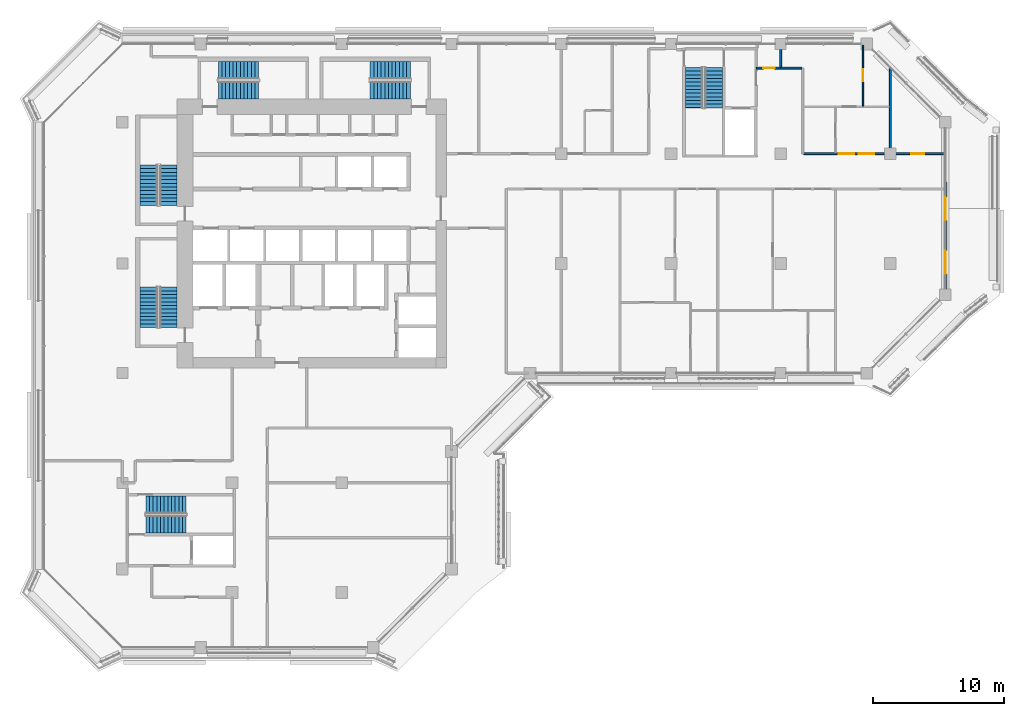
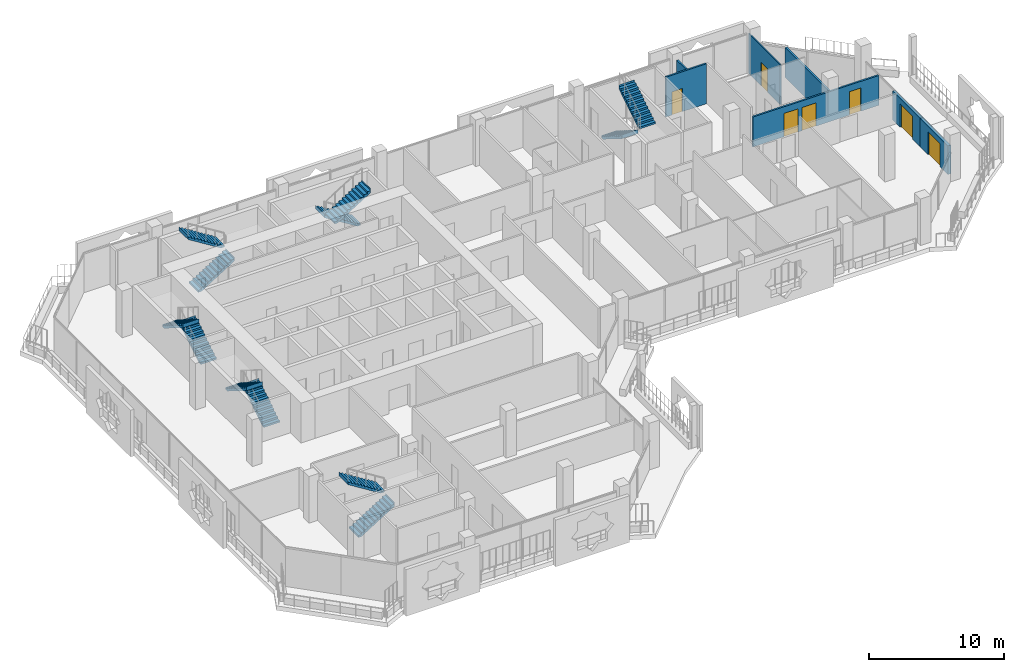
# One storey, part 13 of 20: 12 stair flights, 7 doors, 7 walls, 7 openings, 6 elements without a shape of their own.
"""IFC4 building model written with IfcOpenShell, lengths in metres."""

from ifc_helpers import new_model, si_unit, direction, frame, frame_2d, origin, place, context, subcontext, project, spatial, polyline, rectangle, outline, extrude, material, layer, layer_set, type_object, element, fill, aggregate, save


model = new_model("IFC4")

# Units and contexts
model_context = context("Model", 3, precision=1e-05, world=origin(), true_north=direction((0.0, 1.0)))
body_context = subcontext(model_context, "Body", "Model", "MODEL_VIEW")
ifc_project = project(units=[si_unit("LENGTHUNIT", "METRE"), si_unit("AREAUNIT", "SQUARE_METRE"), si_unit("VOLUMEUNIT", "CUBIC_METRE"), si_unit("PLANEANGLEUNIT", "RADIAN"), si_unit("MASSUNIT", "GRAM", prefix="KILO")], contexts=[model_context])

# Site, building, storey
site_placement = place(None, origin())
site = spatial("IfcSite", under=ifc_project, at=site_placement, CompositionType="ELEMENT")
building_placement = place(site_placement, origin())
building = spatial("IfcBuilding", under=site, at=building_placement, Name="Kawkab Arch Medical Tower", CompositionType="ELEMENT")
storey_placement = place(building_placement, frame((0.0, 0.0, 239.0)))
storey = spatial("IfcBuildingStorey", under=building, at=storey_placement, Name="L55", CompositionType="ELEMENT", Elevation=239.0)

# Wall, opening, door
ifc_material_1 = material(Name="Bronze clad insulated wall panel")
ifc_layer_1 = layer(ifc_material_1, 0.25)
ifc_layer_set_1 = layer_set([ifc_layer_1], Name="Bronze clad insulated wall panel")
wall_type_1 = type_object("IfcWallType", Name="External wall bay 250", PredefinedType="SOLIDWALL", material=ifc_layer_set_1)
wall_1_placement = place(storey_placement, frame((63.0, -18.75, 0.0), z_axis=(0.0, 0.0, 1.0), x_axis=(0.0, 1.0, 0.0)))
wall_1 = element("IfcWall", 1, at=wall_1_placement, inside=storey, type_object=wall_type_1, Name="External wall bay L55.R09.1.1", PredefinedType="SOLIDWALL", context=body_context, shape_type="SweptSolid", body=[
    extrude(rectangle(XDim=4.10009765625, YDim=0.25, at=frame_2d((2.050048828125, 0.0))), origin(), (0.0, 0.0, 1.0), 2.580078125),
])
opening_1_placement = place(wall_1_placement, frame((1.14990234375, 0.0, 0.0)))
opening_1 = element("IfcOpeningElement", 2, at=opening_1_placement, cuts=wall_1, Name="Opening W55-702", PredefinedType="OPENING", context=body_context, shape_type="SweptSolid", body=[
    extrude(rectangle(XDim=1.800048828125, YDim=2.10009765625, at=frame_2d((0.89990234375, 1.050048828125))), frame((0.0, 0.135009765625, 0.0), z_axis=(0.0, -1.0, 0.0), x_axis=(1.0, 0.0, 0.0)), (0.0, 0.0, 1.0), 0.27001953125),
])
ifc_material_2 = material(Name="Bronze anodised aluminium door with tinted glass", Category="aluminium")
door_type_1 = type_object("IfcDoorType", Name="Double external door 1800 x 2100", OperationType="DOUBLE_DOOR_SINGLE_SWING", PredefinedType="DOOR", material=ifc_material_2)
door_1_placement = place(opening_1_placement, origin())
door_1 = element("IfcDoor", 3, at=door_1_placement, inside=storey, type_object=door_type_1, Name="External door L55.R09.1.1", OperationType="DOUBLE_DOOR_SINGLE_SWING", OverallHeight=2.10009765625, OverallWidth=1.800048828125, PredefinedType="DOOR", context=body_context, shape_type="SweptSolid", body=[
    extrude(rectangle(XDim=1.800048828125, YDim=2.10009765625, at=frame_2d((0.89990234375, 1.050048828125))), frame((0.0, 0.02490234375, 0.0), z_axis=(0.0, -1.0, 0.0), x_axis=(1.0, 0.0, 0.0)), (0.0, 0.0, 1.0), 0.050048828125),
])
fill(opening_1, door_1)

wall_2_placement = place(storey_placement, frame((63.0, -14.64990234375, 0.0), z_axis=(0.0, 0.0, 1.0), x_axis=(0.0, 1.0, 0.0)))
wall_2 = element("IfcWall", 4, at=wall_2_placement, inside=storey, type_object=wall_type_1, Name="External wall bay L55.R09.1.2", PredefinedType="SOLIDWALL", context=body_context, shape_type="SweptSolid", body=[
    extrude(rectangle(XDim=4.099853515625, YDim=0.25, at=frame_2d((2.0498046875, 0.0))), origin(), (0.0, 0.0, 1.0), 2.580078125),
])
opening_2_placement = place(wall_2_placement, frame((1.14990234375, 0.0, 0.0)))
opening_2 = element("IfcOpeningElement", 5, at=opening_2_placement, cuts=wall_2, Name="Opening W55-702", PredefinedType="OPENING", context=body_context, shape_type="SweptSolid", body=[
    extrude(rectangle(XDim=1.800048828125, YDim=2.10009765625, at=frame_2d((0.89990234375, 1.050048828125))), frame((0.0, 0.135009765625, 0.0), z_axis=(0.0, -1.0, 0.0), x_axis=(1.0, 0.0, 0.0)), (0.0, 0.0, 1.0), 0.27001953125),
])
door_2_placement = place(opening_2_placement, origin())
door_2 = element("IfcDoor", 6, at=door_2_placement, inside=storey, type_object=door_type_1, Name="External door L55.R09.1.2", OperationType="DOUBLE_DOOR_SINGLE_SWING", OverallHeight=2.10009765625, OverallWidth=1.800048828125, PredefinedType="DOOR", context=body_context, shape_type="SweptSolid", body=[
    extrude(rectangle(XDim=1.800048828125, YDim=2.10009765625, at=frame_2d((0.89990234375, 1.050048828125))), frame((0.0, 0.02490234375, 0.0), z_axis=(0.0, -1.0, 0.0), x_axis=(1.0, 0.0, 0.0)), (0.0, 0.0, 1.0), 0.050048828125),
])
fill(opening_2, door_2)

ifc_material_3 = material(Name="Gypsum board partition on steel studs", Category="steel")
ifc_layer_2 = layer(ifc_material_3, 0.10009765625)
ifc_layer_set_2 = layer_set([ifc_layer_2], Name="Gypsum board partition on steel studs")
wall_type_2 = type_object("IfcWallType", Name="Partition 100", PredefinedType="PARTITIONING", material=ifc_layer_set_2)
wall_3_placement = place(storey_placement, frame((56.699951171875, -4.75, 0.0), z_axis=(0.0, 0.0, 1.0), x_axis=(0.0, 1.0, 0.0)))
wall_3 = element("IfcWall", 7, at=wall_3_placement, inside=storey, type_object=wall_type_2, Name="Partition 100 w011", PredefinedType="PARTITIONING", context=body_context, shape_type="SweptSolid", body=[
    extrude(rectangle(XDim=4.669921875, YDim=0.10009765625, at=frame_2d((2.3349609375, 0.0))), origin(), (0.0, 0.0, 1.0), 3.60009765625),
])
opening_3_placement = place(wall_3_placement, frame((1.89990234375, 0.0, 0.0)))
opening_3 = element("IfcOpeningElement", 8, at=opening_3_placement, cuts=wall_3, Name="Opening W55-006", PredefinedType="OPENING", context=body_context, shape_type="SweptSolid", body=[
    extrude(rectangle(XDim=0.89990234375, YDim=2.10009765625, at=frame_2d((0.449951171875, 1.050048828125))), frame((0.0, 0.06005859375, 0.0), z_axis=(0.0, -1.0, 0.0), x_axis=(1.0, 0.0, 0.0)), (0.0, 0.0, 1.0), 0.1201171875),
])
ifc_material_4 = material(Name="Timber door leaf", Category="wood")
door_type_2 = type_object("IfcDoorType", Name="Single door 900x2100", OperationType="NOTDEFINED", PredefinedType="DOOR", material=ifc_material_4)
door_3_placement = place(opening_3_placement, origin())
door_3 = element("IfcDoor", 9, at=door_3_placement, inside=storey, type_object=door_type_2, Name="Door W55-006", OperationType="SINGLE_SWING_LEFT", OverallHeight=2.10009765625, OverallWidth=0.89990234375, PredefinedType="DOOR", context=body_context, shape_type="SweptSolid", body=[
    extrude(rectangle(XDim=0.89990234375, YDim=2.10009765625, at=frame_2d((0.449951171875, 1.050048828125))), frame((0.0, 0.02490234375, 0.0), z_axis=(0.0, -1.0, 0.0), x_axis=(1.0, 0.0, 0.0)), (0.0, 0.0, 1.0), 0.050048828125),
])
fill(opening_3, door_3)

# Wall, openings, doors
ifc_material_5 = material(Name="Gypsum board partition on steel studs, mineral wool", Category="steel")
ifc_layer_3 = layer(ifc_material_5, 0.14990234375)
ifc_layer_set_3 = layer_set([ifc_layer_3], Name="Gypsum board partition on steel studs, mineral wool")
wall_type_3 = type_object("IfcWallType", Name="Partition 150", PredefinedType="PARTITIONING", material=ifc_layer_set_3)
wall_4_placement = place(storey_placement, frame((52.16796875, -8.39990234375, 0.0), z_axis=(0.0, 0.0, 1.0), x_axis=(1.0, 0.0, 0.0)))
wall_4 = element("IfcWall", 10, at=wall_4_placement, inside=storey, type_object=wall_type_3, Name="Partition 150 w023", PredefinedType="PARTITIONING", context=body_context, shape_type="SweptSolid", body=[
    extrude(rectangle(XDim=10.751953125, YDim=0.14990234375, at=frame_2d((5.3759765625, 0.0))), origin(), (0.0, 0.0, 1.0), 2.699951171875),
])
opening_4_placement = place(wall_4_placement, frame((2.672119140625, 0.0, 0.0)))
opening_4 = element("IfcOpeningElement", 11, at=opening_4_placement, cuts=wall_4, Name="Opening W55-024", PredefinedType="OPENING", context=body_context, shape_type="SweptSolid", body=[
    extrude(rectangle(XDim=1.199951171875, YDim=2.10009765625, at=frame_2d((0.60009765625, 1.050048828125))), frame((0.0, 0.0849609375, 0.0), z_axis=(0.0, -1.0, 0.0), x_axis=(1.0, 0.0, 0.0)), (0.0, 0.0, 1.0), 0.169921875),
])
opening_5_placement = place(wall_4_placement, frame((4.2119140625, 0.0, 0.0)))
opening_5 = element("IfcOpeningElement", 12, at=opening_5_placement, cuts=wall_4, Name="Opening W55-025", PredefinedType="OPENING", context=body_context, shape_type="SweptSolid", body=[
    extrude(rectangle(XDim=1.199951171875, YDim=2.10009765625, at=frame_2d((0.60009765625, 1.050048828125))), frame((0.0, 0.0849609375, 0.0), z_axis=(0.0, -1.0, 0.0), x_axis=(1.0, 0.0, 0.0)), (0.0, 0.0, 1.0), 0.169921875),
])
opening_6_placement = place(wall_4_placement, frame((8.23193359375, 0.0, 0.0)))
opening_6 = element("IfcOpeningElement", 13, at=opening_6_placement, cuts=wall_4, Name="Opening W55-018", PredefinedType="OPENING", context=body_context, shape_type="SweptSolid", body=[
    extrude(rectangle(XDim=1.0, YDim=2.10009765625, at=frame_2d((0.5, 1.050048828125))), frame((0.0, 0.0849609375, 0.0), z_axis=(0.0, -1.0, 0.0), x_axis=(1.0, 0.0, 0.0)), (0.0, 0.0, 1.0), 0.169921875),
])
ifc_material_6 = material(Name="Hollow metal door leaf")
door_type_3 = type_object("IfcDoorType", Name="Single door 1000x2100 FD30S", OperationType="NOTDEFINED", PredefinedType="DOOR", material=ifc_material_6)
door_4_placement = place(opening_6_placement, origin())
door_4 = element("IfcDoor", 14, at=door_4_placement, inside=storey, type_object=door_type_3, Name="Door W55-018", OperationType="SINGLE_SWING_RIGHT", OverallHeight=2.10009765625, OverallWidth=1.0, PredefinedType="DOOR", context=body_context, shape_type="SweptSolid", body=[
    extrude(rectangle(XDim=1.0, YDim=2.10009765625, at=frame_2d((0.5, 1.050048828125))), frame((0.0, 0.02490234375, 0.0), z_axis=(0.0, -1.0, 0.0), x_axis=(1.0, 0.0, 0.0)), (0.0, 0.0, 1.0), 0.050048828125),
])
fill(opening_6, door_4)
ifc_material_7 = material(Name="Hollow metal door leaf")
door_type_4 = type_object("IfcDoorType", Name="Single door 1200x2100 FD30S", OperationType="NOTDEFINED", PredefinedType="DOOR", material=ifc_material_7)
door_5_placement = place(opening_4_placement, origin())
door_5 = element("IfcDoor", 15, at=door_5_placement, inside=storey, type_object=door_type_4, Name="Door W55-024", OperationType="SINGLE_SWING_LEFT", OverallHeight=2.10009765625, OverallWidth=1.199951171875, PredefinedType="DOOR", context=body_context, shape_type="SweptSolid", body=[
    extrude(rectangle(XDim=1.199951171875, YDim=2.10009765625, at=frame_2d((0.60009765625, 1.050048828125))), frame((0.0, 0.02490234375, 0.0), z_axis=(0.0, -1.0, 0.0), x_axis=(1.0, 0.0, 0.0)), (0.0, 0.0, 1.0), 0.050048828125),
])
fill(opening_4, door_5)
door_6_placement = place(opening_5_placement, origin())
door_6 = element("IfcDoor", 16, at=door_6_placement, inside=storey, type_object=door_type_4, Name="Door W55-025", OperationType="SINGLE_SWING_LEFT", OverallHeight=2.10009765625, OverallWidth=1.199951171875, PredefinedType="DOOR", context=body_context, shape_type="SweptSolid", body=[
    extrude(rectangle(XDim=1.199951171875, YDim=2.10009765625, at=frame_2d((0.60009765625, 1.050048828125))), frame((0.0, 0.02490234375, 0.0), z_axis=(0.0, -1.0, 0.0), x_axis=(1.0, 0.0, 0.0)), (0.0, 0.0, 1.0), 0.050048828125),
])
fill(opening_5, door_6)

# Wall, opening, door
wall_5_placement = place(storey_placement, frame((48.550048828125, -1.85009765625, 0.0), z_axis=(0.0, 0.0, 1.0), x_axis=(1.0, 0.0, 0.0)))
wall_5 = element("IfcWall", 17, at=wall_5_placement, inside=storey, type_object=wall_type_3, Name="Partition 150 w024", PredefinedType="PARTITIONING", context=body_context, shape_type="SweptSolid", body=[
    extrude(rectangle(XDim=3.468017578125, YDim=0.14990234375, at=frame_2d((1.73388671875, 0.0))), origin(), (0.0, 0.0, 1.0), 3.60009765625),
])
opening_7_placement = place(wall_5_placement, frame((0.5, 0.0, 0.0)))
opening_7 = element("IfcOpeningElement", 18, at=opening_7_placement, cuts=wall_5, Name="Opening W55-009", PredefinedType="OPENING", context=body_context, shape_type="SweptSolid", body=[
    extrude(rectangle(XDim=0.89990234375, YDim=2.10009765625, at=frame_2d((0.449951171875, 1.050048828125))), frame((0.0, 0.0849609375, 0.0), z_axis=(0.0, -1.0, 0.0), x_axis=(1.0, 0.0, 0.0)), (0.0, 0.0, 1.0), 0.169921875),
])
door_7_placement = place(opening_7_placement, origin())
door_7 = element("IfcDoor", 19, at=door_7_placement, inside=storey, type_object=door_type_2, Name="Door W55-009", OperationType="SINGLE_SWING_LEFT", OverallHeight=2.10009765625, OverallWidth=0.89990234375, PredefinedType="DOOR", context=body_context, shape_type="SweptSolid", body=[
    extrude(rectangle(XDim=0.89990234375, YDim=2.10009765625, at=frame_2d((0.449951171875, 1.050048828125))), frame((0.0, 0.02490234375, 0.0), z_axis=(0.0, -1.0, 0.0), x_axis=(1.0, 0.0, 0.0)), (0.0, 0.0, 1.0), 0.050048828125),
])
fill(opening_7, door_7)

# Walls
wall_6_placement = place(storey_placement, frame((50.39990234375, -1.77490234375, 0.0), z_axis=(0.0, 0.0, 1.0), x_axis=(0.0, 1.0, 0.0)))
element("IfcWall", 20, at=wall_6_placement, inside=storey, type_object=wall_type_3, Name="Partition 150 w046", PredefinedType="PARTITIONING", context=body_context, shape_type="SweptSolid", body=[
    extrude(rectangle(XDim=1.349853515625, YDim=0.14990234375, at=frame_2d((0.6748046875, 0.0))), origin(), (0.0, 0.0, 1.0), 3.60009765625),
])
wall_7_placement = place(storey_placement, frame((58.800048828125, -8.324951171875, 0.0), z_axis=(0.0, 0.0, 1.0), x_axis=(0.0, 1.0, 0.0)))
element("IfcWall", 21, at=wall_7_placement, inside=storey, type_object=wall_type_3, Name="Partition 150 w049", PredefinedType="PARTITIONING", context=body_context, shape_type="SweptSolid", body=[
    extrude(rectangle(XDim=6.411865234375, YDim=0.14990234375, at=frame_2d((3.2060546875, 0.0))), origin(), (0.0, 0.0, 1.0), 2.699951171875),
])

# Stair, stair flights
ifc_material_8 = material(Name="Concrete C40/50", Category="concrete")
stair_type = type_object("IfcStairType", Name="Exit stair 1350", PredefinedType="HALF_TURN_STAIR", material=ifc_material_8)
placement = place(storey_placement, origin())
stair_1 = element("IfcStair", 22, at=placement, inside=storey, type_object=stair_type, Name="L55 Exit stair ST1", PredefinedType="HALF_TURN_STAIR")
ifc_material_9 = material(Name="Concrete C40/50", Category="concrete")
stair_flight_type = type_object("IfcStairFlightType", Name="Exit stair flight 1350", PredefinedType="STRAIGHT", material=ifc_material_9)
stair_flight_1_placement = place(storey_placement, frame((3.52490234375, -12.35009765625, 0.0), z_axis=(0.0, 0.0, 1.0), x_axis=(0.0, 1.0, 0.0)))
stair_flight_1 = element("IfcStairFlight", 23, at=stair_flight_1_placement, type_object=stair_flight_type, Name="ST1 flight 1", NumberOfRisers=12, NumberOfTreads=11, PredefinedType="STRAIGHT", RiserHeight=0.175, TreadLength=0.28, context=body_context, shape_type="SweptSolid", body=[
    extrude(outline(polyline([(-0.0029296875, 0.0), (-0.0029296875, 0.175048828125), (0.0, 0.175048828125), (0.280029296875, 0.175048828125), (0.280029296875, 0.35009765625), (0.56005859375, 0.35009765625), (0.56005859375, 0.52490234375), (0.840087890625, 0.52490234375), (0.840087890625, 0.699951171875), (1.1201171875, 0.699951171875), (1.1201171875, 0.875), (1.39990234375, 0.875), (1.39990234375, 1.050048828125), (1.679931640625, 1.050048828125), (1.679931640625, 1.22509765625), (1.9599609375, 1.22509765625), (1.9599609375, 1.39990234375), (2.239990234375, 1.39990234375), (2.239990234375, 1.574951171875), (2.52001953125, 1.574951171875), (2.52001953125, 1.75), (2.800048828125, 1.75), (2.800048828125, 1.925048828125), (3.080078125, 1.925048828125), (3.080078125, 2.10009765625), (3.0830078125, 2.10009765625), (3.0830078125, 1.748291015625), (3.080078125, 1.748291015625), (0.28271484375, 0.0), (-0.0029296875, 0.0)])), frame((0.0, 0.675048828125, 0.0), z_axis=(0.0, -1.0, 0.0), x_axis=(1.0, 0.0, 0.0)), (0.0, 0.0, 1.0), 1.35009765625),
])
stair_flight_2_placement = place(storey_placement, frame((2.02490234375, -9.27001953125, 2.10009765625), z_axis=(0.0, 0.0, 1.0), x_axis=(0.0, -1.0, 0.0)))
stair_flight_2 = element("IfcStairFlight", 24, at=stair_flight_2_placement, type_object=stair_flight_type, Name="ST1 flight 2", NumberOfRisers=12, NumberOfTreads=11, PredefinedType="STRAIGHT", RiserHeight=0.175, TreadLength=0.28, context=body_context, shape_type="SweptSolid", body=[
    extrude(outline(polyline([(-0.0029296875, 0.0), (-0.0029296875, 0.175048828125), (0.0, 0.175048828125), (0.280029296875, 0.175048828125), (0.280029296875, 0.35009765625), (0.56005859375, 0.35009765625), (0.56005859375, 0.52490234375), (0.840087890625, 0.52490234375), (0.840087890625, 0.699951171875), (1.1201171875, 0.699951171875), (1.1201171875, 0.875), (1.39990234375, 0.875), (1.39990234375, 1.050048828125), (1.679931640625, 1.050048828125), (1.679931640625, 1.22509765625), (1.9599609375, 1.22509765625), (1.9599609375, 1.39990234375), (2.239990234375, 1.39990234375), (2.239990234375, 1.574951171875), (2.52001953125, 1.574951171875), (2.52001953125, 1.75), (2.800048828125, 1.75), (2.800048828125, 1.925048828125), (3.080078125, 1.925048828125), (3.080078125, 2.10009765625), (3.0830078125, 2.10009765625), (3.0830078125, 1.748291015625), (3.080078125, 1.748291015625), (0.28271484375, 0.0), (-0.0029296875, 0.0)])), frame((0.0, 0.675048828125, 0.0), z_axis=(0.0, -1.0, 0.0), x_axis=(1.0, 0.0, 0.0)), (0.0, 0.0, 1.0), 1.35009765625),
])
aggregate(stair_1, [stair_flight_1, stair_flight_2])

stair_2 = element("IfcStair", 25, at=placement, inside=storey, type_object=stair_type, Name="L55 Exit stair ST2", PredefinedType="HALF_TURN_STAIR")
stair_flight_3_placement = place(storey_placement, frame((3.52490234375, -21.699951171875, 0.0), z_axis=(0.0, 0.0, 1.0), x_axis=(0.0, 1.0, 0.0)))
stair_flight_3 = element("IfcStairFlight", 26, at=stair_flight_3_placement, type_object=stair_flight_type, Name="ST2 flight 1", NumberOfRisers=12, NumberOfTreads=11, PredefinedType="STRAIGHT", RiserHeight=0.175, TreadLength=0.28, context=body_context, shape_type="SweptSolid", body=[
    extrude(outline(polyline([(-0.0029296875, 0.0), (-0.0029296875, 0.175048828125), (0.0, 0.175048828125), (0.280029296875, 0.175048828125), (0.280029296875, 0.35009765625), (0.56005859375, 0.35009765625), (0.56005859375, 0.52490234375), (0.840087890625, 0.52490234375), (0.840087890625, 0.699951171875), (1.1201171875, 0.699951171875), (1.1201171875, 0.875), (1.39990234375, 0.875), (1.39990234375, 1.050048828125), (1.679931640625, 1.050048828125), (1.679931640625, 1.22509765625), (1.9599609375, 1.22509765625), (1.9599609375, 1.39990234375), (2.239990234375, 1.39990234375), (2.239990234375, 1.574951171875), (2.52001953125, 1.574951171875), (2.52001953125, 1.75), (2.800048828125, 1.75), (2.800048828125, 1.925048828125), (3.080078125, 1.925048828125), (3.080078125, 2.10009765625), (3.0830078125, 2.10009765625), (3.0830078125, 1.748291015625), (3.080078125, 1.748291015625), (0.28271484375, 0.0), (-0.0029296875, 0.0)])), frame((0.0, 0.675048828125, 0.0), z_axis=(0.0, -1.0, 0.0), x_axis=(1.0, 0.0, 0.0)), (0.0, 0.0, 1.0), 1.35009765625),
])
stair_flight_4_placement = place(storey_placement, frame((2.02490234375, -18.6201171875, 2.10009765625), z_axis=(0.0, 0.0, 1.0), x_axis=(0.0, -1.0, 0.0)))
stair_flight_4 = element("IfcStairFlight", 27, at=stair_flight_4_placement, type_object=stair_flight_type, Name="ST2 flight 2", NumberOfRisers=12, NumberOfTreads=11, PredefinedType="STRAIGHT", RiserHeight=0.175, TreadLength=0.28, context=body_context, shape_type="SweptSolid", body=[
    extrude(outline(polyline([(-0.0029296875, 0.0), (-0.0029296875, 0.175048828125), (0.0, 0.175048828125), (0.280029296875, 0.175048828125), (0.280029296875, 0.35009765625), (0.56005859375, 0.35009765625), (0.56005859375, 0.52490234375), (0.840087890625, 0.52490234375), (0.840087890625, 0.699951171875), (1.1201171875, 0.699951171875), (1.1201171875, 0.875), (1.39990234375, 0.875), (1.39990234375, 1.050048828125), (1.679931640625, 1.050048828125), (1.679931640625, 1.22509765625), (1.9599609375, 1.22509765625), (1.9599609375, 1.39990234375), (2.239990234375, 1.39990234375), (2.239990234375, 1.574951171875), (2.52001953125, 1.574951171875), (2.52001953125, 1.75), (2.800048828125, 1.75), (2.800048828125, 1.925048828125), (3.080078125, 1.925048828125), (3.080078125, 2.10009765625), (3.0830078125, 2.10009765625), (3.0830078125, 1.748291015625), (3.080078125, 1.748291015625), (0.28271484375, 0.0), (-0.0029296875, 0.0)])), frame((0.0, 0.675048828125, 0.0), z_axis=(0.0, -1.0, 0.0), x_axis=(1.0, 0.0, 0.0)), (0.0, 0.0, 1.0), 1.35009765625),
])
aggregate(stair_2, [stair_flight_3, stair_flight_4])

stair_3 = element("IfcStair", 28, at=placement, inside=storey, type_object=stair_type, Name="L55 Exit stair ST3", PredefinedType="HALF_TURN_STAIR")
stair_flight_5_placement = place(storey_placement, frame((7.35009765625, -3.52490234375, 0.0), z_axis=(0.0, 0.0, 1.0), x_axis=(1.0, 0.0, 0.0)))
stair_flight_5 = element("IfcStairFlight", 29, at=stair_flight_5_placement, type_object=stair_flight_type, Name="ST3 flight 1", NumberOfRisers=12, NumberOfTreads=11, PredefinedType="STRAIGHT", RiserHeight=0.175, TreadLength=0.28, context=body_context, shape_type="SweptSolid", body=[
    extrude(outline(polyline([(-0.0029296875, 0.0), (-0.0029296875, 0.175048828125), (0.0, 0.175048828125), (0.280029296875, 0.175048828125), (0.280029296875, 0.35009765625), (0.56005859375, 0.35009765625), (0.56005859375, 0.52490234375), (0.840087890625, 0.52490234375), (0.840087890625, 0.699951171875), (1.1201171875, 0.699951171875), (1.1201171875, 0.875), (1.39990234375, 0.875), (1.39990234375, 1.050048828125), (1.679931640625, 1.050048828125), (1.679931640625, 1.22509765625), (1.9599609375, 1.22509765625), (1.9599609375, 1.39990234375), (2.239990234375, 1.39990234375), (2.239990234375, 1.574951171875), (2.52001953125, 1.574951171875), (2.52001953125, 1.75), (2.800048828125, 1.75), (2.800048828125, 1.925048828125), (3.080078125, 1.925048828125), (3.080078125, 2.10009765625), (3.0830078125, 2.10009765625), (3.0830078125, 1.748291015625), (3.080078125, 1.748291015625), (0.28271484375, 0.0), (-0.0029296875, 0.0)])), frame((0.0, 0.675048828125, 0.0), z_axis=(0.0, -1.0, 0.0), x_axis=(1.0, 0.0, 0.0)), (0.0, 0.0, 1.0), 1.35009765625),
])
stair_flight_6_placement = place(storey_placement, frame((10.429931640625, -2.02490234375, 2.10009765625), z_axis=(0.0, 0.0, 1.0), x_axis=(-1.0, 0.0, 0.0)))
stair_flight_6 = element("IfcStairFlight", 30, at=stair_flight_6_placement, type_object=stair_flight_type, Name="ST3 flight 2", NumberOfRisers=12, NumberOfTreads=11, PredefinedType="STRAIGHT", RiserHeight=0.175, TreadLength=0.28, context=body_context, shape_type="SweptSolid", body=[
    extrude(outline(polyline([(-0.0029296875, 0.0), (-0.0029296875, 0.175048828125), (0.0, 0.175048828125), (0.280029296875, 0.175048828125), (0.280029296875, 0.35009765625), (0.56005859375, 0.35009765625), (0.56005859375, 0.52490234375), (0.840087890625, 0.52490234375), (0.840087890625, 0.699951171875), (1.1201171875, 0.699951171875), (1.1201171875, 0.875), (1.39990234375, 0.875), (1.39990234375, 1.050048828125), (1.679931640625, 1.050048828125), (1.679931640625, 1.22509765625), (1.9599609375, 1.22509765625), (1.9599609375, 1.39990234375), (2.239990234375, 1.39990234375), (2.239990234375, 1.574951171875), (2.52001953125, 1.574951171875), (2.52001953125, 1.75), (2.800048828125, 1.75), (2.800048828125, 1.925048828125), (3.080078125, 1.925048828125), (3.080078125, 2.10009765625), (3.0830078125, 2.10009765625), (3.0830078125, 1.748291015625), (3.080078125, 1.748291015625), (0.28271484375, 0.0), (-0.0029296875, 0.0)])), frame((0.0, 0.675048828125, 0.0), z_axis=(0.0, -1.0, 0.0), x_axis=(1.0, 0.0, 0.0)), (0.0, 0.0, 1.0), 1.35009765625),
])
aggregate(stair_3, [stair_flight_5, stair_flight_6])

stair_4 = element("IfcStair", 31, at=placement, inside=storey, type_object=stair_type, Name="L55 Exit stair ST4", PredefinedType="HALF_TURN_STAIR")
stair_flight_7_placement = place(storey_placement, frame((22.050048828125, -2.02490234375, 0.0), z_axis=(0.0, 0.0, 1.0), x_axis=(-1.0, 0.0, 0.0)))
stair_flight_7 = element("IfcStairFlight", 32, at=stair_flight_7_placement, type_object=stair_flight_type, Name="ST4 flight 1", NumberOfRisers=12, NumberOfTreads=11, PredefinedType="STRAIGHT", RiserHeight=0.175, TreadLength=0.28, context=body_context, shape_type="SweptSolid", body=[
    extrude(outline(polyline([(-0.0029296875, 0.0), (-0.0029296875, 0.175048828125), (0.0, 0.175048828125), (0.280029296875, 0.175048828125), (0.280029296875, 0.35009765625), (0.56005859375, 0.35009765625), (0.56005859375, 0.52490234375), (0.840087890625, 0.52490234375), (0.840087890625, 0.699951171875), (1.1201171875, 0.699951171875), (1.1201171875, 0.875), (1.39990234375, 0.875), (1.39990234375, 1.050048828125), (1.679931640625, 1.050048828125), (1.679931640625, 1.22509765625), (1.9599609375, 1.22509765625), (1.9599609375, 1.39990234375), (2.239990234375, 1.39990234375), (2.239990234375, 1.574951171875), (2.52001953125, 1.574951171875), (2.52001953125, 1.75), (2.800048828125, 1.75), (2.800048828125, 1.925048828125), (3.080078125, 1.925048828125), (3.080078125, 2.10009765625), (3.0830078125, 2.10009765625), (3.0830078125, 1.748291015625), (3.080078125, 1.748291015625), (0.28271484375, 0.0), (-0.0029296875, 0.0)])), frame((0.0, 0.675048828125, 0.0), z_axis=(0.0, -1.0, 0.0), x_axis=(1.0, 0.0, 0.0)), (0.0, 0.0, 1.0), 1.35009765625),
])
stair_flight_8_placement = place(storey_placement, frame((18.969970703125, -3.52490234375, 2.10009765625), z_axis=(0.0, 0.0, 1.0), x_axis=(1.0, 0.0, 0.0)))
stair_flight_8 = element("IfcStairFlight", 33, at=stair_flight_8_placement, type_object=stair_flight_type, Name="ST4 flight 2", NumberOfRisers=12, NumberOfTreads=11, PredefinedType="STRAIGHT", RiserHeight=0.175, TreadLength=0.28, context=body_context, shape_type="SweptSolid", body=[
    extrude(outline(polyline([(-0.0029296875, 0.0), (-0.0029296875, 0.175048828125), (0.0, 0.175048828125), (0.280029296875, 0.175048828125), (0.280029296875, 0.35009765625), (0.56005859375, 0.35009765625), (0.56005859375, 0.52490234375), (0.840087890625, 0.52490234375), (0.840087890625, 0.699951171875), (1.1201171875, 0.699951171875), (1.1201171875, 0.875), (1.39990234375, 0.875), (1.39990234375, 1.050048828125), (1.679931640625, 1.050048828125), (1.679931640625, 1.22509765625), (1.9599609375, 1.22509765625), (1.9599609375, 1.39990234375), (2.239990234375, 1.39990234375), (2.239990234375, 1.574951171875), (2.52001953125, 1.574951171875), (2.52001953125, 1.75), (2.800048828125, 1.75), (2.800048828125, 1.925048828125), (3.080078125, 1.925048828125), (3.080078125, 2.10009765625), (3.0830078125, 2.10009765625), (3.0830078125, 1.748291015625), (3.080078125, 1.748291015625), (0.28271484375, 0.0), (-0.0029296875, 0.0)])), frame((0.0, 0.675048828125, 0.0), z_axis=(0.0, -1.0, 0.0), x_axis=(1.0, 0.0, 0.0)), (0.0, 0.0, 1.0), 1.35009765625),
])
aggregate(stair_4, [stair_flight_7, stair_flight_8])

stair_5 = element("IfcStair", 34, at=placement, inside=storey, type_object=stair_type, Name="L55 Exit stair ST5", PredefinedType="HALF_TURN_STAIR")
stair_flight_9_placement = place(storey_placement, frame((43.77490234375, -1.800048828125, 0.0), z_axis=(0.0, 0.0, 1.0), x_axis=(0.0, -1.0, 0.0)))
stair_flight_9 = element("IfcStairFlight", 35, at=stair_flight_9_placement, type_object=stair_flight_type, Name="ST5 flight 1", NumberOfRisers=12, NumberOfTreads=11, PredefinedType="STRAIGHT", RiserHeight=0.175, TreadLength=0.28, context=body_context, shape_type="SweptSolid", body=[
    extrude(outline(polyline([(-0.0029296875, 0.0), (-0.0029296875, 0.175048828125), (0.0, 0.175048828125), (0.280029296875, 0.175048828125), (0.280029296875, 0.35009765625), (0.56005859375, 0.35009765625), (0.56005859375, 0.52490234375), (0.840087890625, 0.52490234375), (0.840087890625, 0.699951171875), (1.1201171875, 0.699951171875), (1.1201171875, 0.875), (1.39990234375, 0.875), (1.39990234375, 1.050048828125), (1.679931640625, 1.050048828125), (1.679931640625, 1.22509765625), (1.9599609375, 1.22509765625), (1.9599609375, 1.39990234375), (2.239990234375, 1.39990234375), (2.239990234375, 1.574951171875), (2.52001953125, 1.574951171875), (2.52001953125, 1.75), (2.800048828125, 1.75), (2.800048828125, 1.925048828125), (3.080078125, 1.925048828125), (3.080078125, 2.10009765625), (3.0830078125, 2.10009765625), (3.0830078125, 1.748291015625), (3.080078125, 1.748291015625), (0.28271484375, 0.0), (-0.0029296875, 0.0)])), frame((0.0, 0.675048828125, 0.0), z_axis=(0.0, -1.0, 0.0), x_axis=(1.0, 0.0, 0.0)), (0.0, 0.0, 1.0), 1.35009765625),
])
stair_flight_10_placement = place(storey_placement, frame((45.27490234375, -4.8798828125, 2.10009765625), z_axis=(0.0, 0.0, 1.0), x_axis=(0.0, 1.0, 0.0)))
stair_flight_10 = element("IfcStairFlight", 36, at=stair_flight_10_placement, type_object=stair_flight_type, Name="ST5 flight 2", NumberOfRisers=12, NumberOfTreads=11, PredefinedType="STRAIGHT", RiserHeight=0.175, TreadLength=0.28, context=body_context, shape_type="SweptSolid", body=[
    extrude(outline(polyline([(-0.0029296875, 0.0), (-0.0029296875, 0.175048828125), (0.0, 0.175048828125), (0.280029296875, 0.175048828125), (0.280029296875, 0.35009765625), (0.56005859375, 0.35009765625), (0.56005859375, 0.52490234375), (0.840087890625, 0.52490234375), (0.840087890625, 0.699951171875), (1.1201171875, 0.699951171875), (1.1201171875, 0.875), (1.39990234375, 0.875), (1.39990234375, 1.050048828125), (1.679931640625, 1.050048828125), (1.679931640625, 1.22509765625), (1.9599609375, 1.22509765625), (1.9599609375, 1.39990234375), (2.239990234375, 1.39990234375), (2.239990234375, 1.574951171875), (2.52001953125, 1.574951171875), (2.52001953125, 1.75), (2.800048828125, 1.75), (2.800048828125, 1.925048828125), (3.080078125, 1.925048828125), (3.080078125, 2.10009765625), (3.0830078125, 2.10009765625), (3.0830078125, 1.748291015625), (3.080078125, 1.748291015625), (0.28271484375, 0.0), (-0.0029296875, 0.0)])), frame((0.0, 0.675048828125, 0.0), z_axis=(0.0, -1.0, 0.0), x_axis=(1.0, 0.0, 0.0)), (0.0, 0.0, 1.0), 1.35009765625),
])
aggregate(stair_5, [stair_flight_9, stair_flight_10])

stair_6 = element("IfcStair", 37, at=placement, inside=storey, type_object=stair_type, Name="L55 Exit stair ST6", PredefinedType="HALF_TURN_STAIR")
stair_flight_11_placement = place(storey_placement, frame((1.800048828125, -36.77490234375, 0.0), z_axis=(0.0, 0.0, 1.0), x_axis=(1.0, 0.0, 0.0)))
stair_flight_11 = element("IfcStairFlight", 38, at=stair_flight_11_placement, type_object=stair_flight_type, Name="ST6 flight 1", NumberOfRisers=12, NumberOfTreads=11, PredefinedType="STRAIGHT", RiserHeight=0.175, TreadLength=0.28, context=body_context, shape_type="SweptSolid", body=[
    extrude(outline(polyline([(-0.0029296875, 0.0), (-0.0029296875, 0.175048828125), (0.0, 0.175048828125), (0.280029296875, 0.175048828125), (0.280029296875, 0.35009765625), (0.56005859375, 0.35009765625), (0.56005859375, 0.52490234375), (0.840087890625, 0.52490234375), (0.840087890625, 0.699951171875), (1.1201171875, 0.699951171875), (1.1201171875, 0.875), (1.39990234375, 0.875), (1.39990234375, 1.050048828125), (1.679931640625, 1.050048828125), (1.679931640625, 1.22509765625), (1.9599609375, 1.22509765625), (1.9599609375, 1.39990234375), (2.239990234375, 1.39990234375), (2.239990234375, 1.574951171875), (2.52001953125, 1.574951171875), (2.52001953125, 1.75), (2.800048828125, 1.75), (2.800048828125, 1.925048828125), (3.080078125, 1.925048828125), (3.080078125, 2.10009765625), (3.0830078125, 2.10009765625), (3.0830078125, 1.748291015625), (3.080078125, 1.748291015625), (0.28271484375, 0.0), (-0.0029296875, 0.0)])), frame((0.0, 0.675048828125, 0.0), z_axis=(0.0, -1.0, 0.0), x_axis=(1.0, 0.0, 0.0)), (0.0, 0.0, 1.0), 1.35009765625),
])
stair_flight_12_placement = place(storey_placement, frame((4.8798828125, -35.27490234375, 2.10009765625), z_axis=(0.0, 0.0, 1.0), x_axis=(-1.0, 0.0, 0.0)))
stair_flight_12 = element("IfcStairFlight", 39, at=stair_flight_12_placement, type_object=stair_flight_type, Name="ST6 flight 2", NumberOfRisers=12, NumberOfTreads=11, PredefinedType="STRAIGHT", RiserHeight=0.175, TreadLength=0.28, context=body_context, shape_type="SweptSolid", body=[
    extrude(outline(polyline([(-0.0029296875, 0.0), (-0.0029296875, 0.175048828125), (0.0, 0.175048828125), (0.280029296875, 0.175048828125), (0.280029296875, 0.35009765625), (0.56005859375, 0.35009765625), (0.56005859375, 0.52490234375), (0.840087890625, 0.52490234375), (0.840087890625, 0.699951171875), (1.1201171875, 0.699951171875), (1.1201171875, 0.875), (1.39990234375, 0.875), (1.39990234375, 1.050048828125), (1.679931640625, 1.050048828125), (1.679931640625, 1.22509765625), (1.9599609375, 1.22509765625), (1.9599609375, 1.39990234375), (2.239990234375, 1.39990234375), (2.239990234375, 1.574951171875), (2.52001953125, 1.574951171875), (2.52001953125, 1.75), (2.800048828125, 1.75), (2.800048828125, 1.925048828125), (3.080078125, 1.925048828125), (3.080078125, 2.10009765625), (3.0830078125, 2.10009765625), (3.0830078125, 1.748291015625), (3.080078125, 1.748291015625), (0.28271484375, 0.0), (-0.0029296875, 0.0)])), frame((0.0, 0.675048828125, 0.0), z_axis=(0.0, -1.0, 0.0), x_axis=(1.0, 0.0, 0.0)), (0.0, 0.0, 1.0), 1.35009765625),
])
aggregate(stair_6, [stair_flight_11, stair_flight_12])

save(model, "model.ifc")
